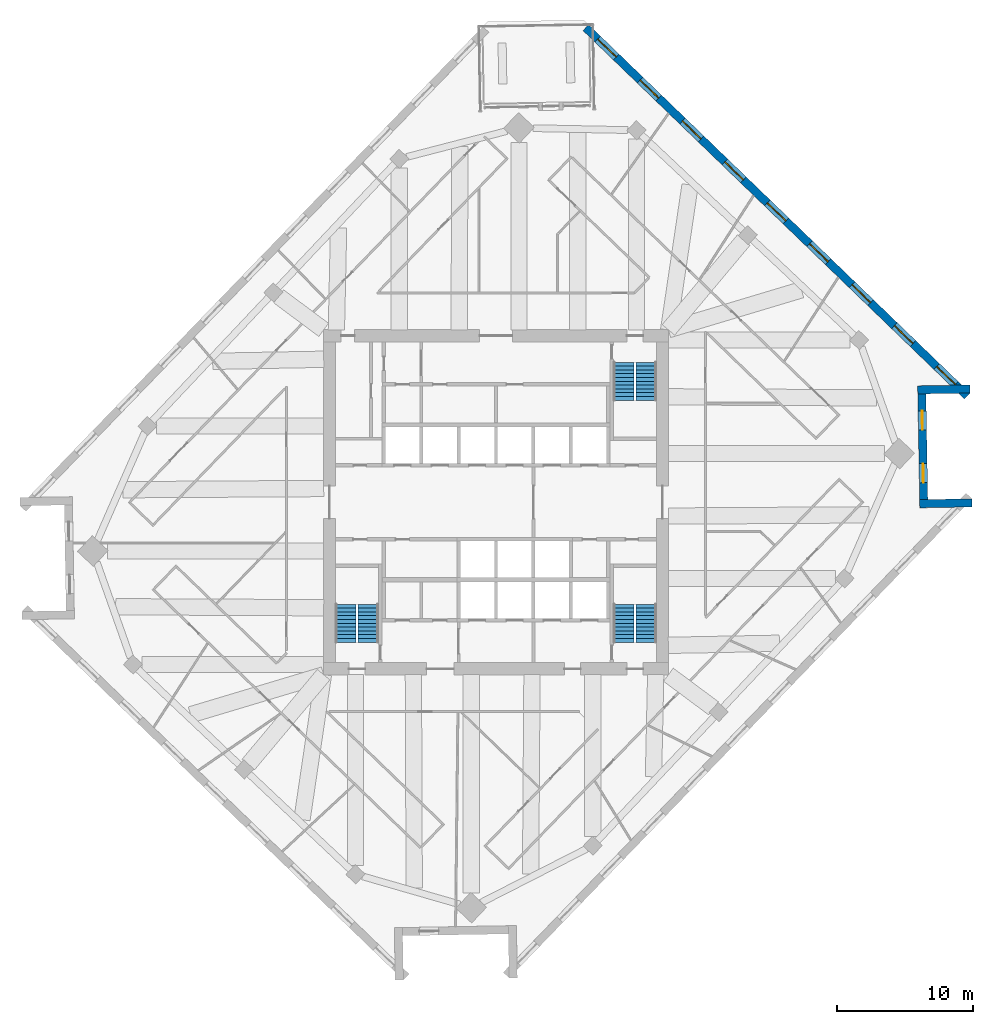
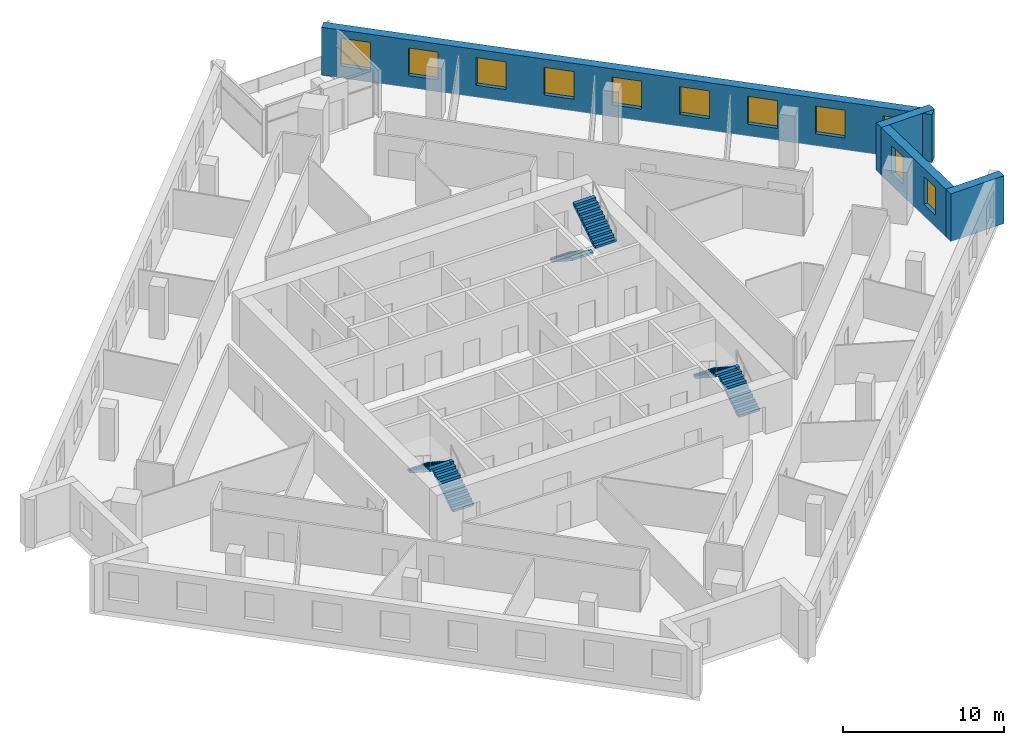
# One storey, part 11 of 13: 11 windows, 6 stair flights, 4 walls, 11 openings, 3 elements without a shape of their own.
"""IFC4 building model written with IfcOpenShell, lengths in metres."""

from ifc_helpers import new_model, si_unit, direction, frame, frame_2d, origin, place, context, subcontext, project, spatial, polyline, rectangle, outline, extrude, material, layer, layer_set, type_object, element, fill, aggregate, save


model = new_model("IFC4")

# Units and contexts
model_context = context("Model", 3, precision=1e-05, world=origin(), true_north=direction((0.0, 1.0)))
body_context = subcontext(model_context, "Body", "Model", "MODEL_VIEW")
ifc_project = project(units=[si_unit("LENGTHUNIT", "METRE"), si_unit("AREAUNIT", "SQUARE_METRE"), si_unit("VOLUMEUNIT", "CUBIC_METRE"), si_unit("PLANEANGLEUNIT", "RADIAN"), si_unit("MASSUNIT", "GRAM", prefix="KILO")], contexts=[model_context])

# Site, building, storey
site_placement = place(None, origin())
site = spatial("IfcSite", under=ifc_project, at=site_placement, CompositionType="ELEMENT")
building_placement = place(site_placement, origin())
building = spatial("IfcBuilding", under=site, at=building_placement, Name="Dilmun Exchange Tower", CompositionType="ELEMENT")
storey_placement = place(building_placement, frame((0.0, 0.0, 213.300048828125)))
storey = spatial("IfcBuildingStorey", under=building, at=storey_placement, Name="L50", CompositionType="ELEMENT", Elevation=213.300048828125)

# Wall
ifc_material_1 = material(Name="Precast concrete C50/60", Category="concrete")
ifc_layer = layer(ifc_material_1, 0.60009765625)
ifc_layer_set = layer_set([ifc_layer], Name="Precast concrete C50/60")
wall_type = type_object("IfcWallType", Name="Precast stone-clad wall 600", PredefinedType="STANDARD", material=ifc_layer_set)
wall_1_placement = place(storey_placement, frame((35.0078125, -0.04248046875, 0.0), z_axis=(0.0, 0.0, 1.0), x_axis=(-0.999847642189, -0.017455440681, 0.0)))
element("IfcWall", 1, at=wall_1_placement, inside=storey, type_object=wall_type, Name="Facade wall L50-12", PredefinedType="STANDARD", context=body_context, shape_type="SweptSolid", body=[
    extrude(rectangle(XDim=3.84619140625, YDim=0.60009765625, at=frame_2d((1.923095703125, 0.0))), origin(), (0.0, 0.0, 1.0), 3.619873046875),
])

# Wall, openings, windows
wall_2_placement = place(storey_placement, frame((31.456787109375, 0.195556640625, 0.0), z_axis=(0.0, 0.0, 1.0), x_axis=(-0.017451978485, 0.999847702626, 0.0)))
wall_2 = element("IfcWall", 2, at=wall_2_placement, inside=storey, type_object=wall_type, Name="Facade wall L50-13", PredefinedType="STANDARD", context=body_context, shape_type="SweptSolid", body=[
    extrude(rectangle(XDim=7.778076171875, YDim=0.60009765625, at=frame_2d((3.88916015625, 0.0))), origin(), (0.0, 0.0, 1.0), 3.619873046875),
])
opening_1_placement = place(wall_2_placement, frame((1.244384765625, 0.0, 0.89990234375)))
opening_1 = element("IfcOpeningElement", 3, at=opening_1_placement, cuts=wall_2, Name="Opening W140-210", PredefinedType="OPENING", context=body_context, shape_type="SweptSolid", body=[
    extrude(rectangle(XDim=1.39990234375, YDim=2.10009765625, at=frame_2d((0.699951171875, 1.050048828125))), frame((0.0, 0.31005859375, 0.0), z_axis=(0.0, -1.0, 0.0), x_axis=(1.0, 0.0, 0.0)), (0.0, 0.0, 1.0), 0.6201171875),
])
opening_2_placement = place(wall_2_placement, frame((5.133544921875, 0.0, 0.89990234375)))
opening_2 = element("IfcOpeningElement", 4, at=opening_2_placement, cuts=wall_2, Name="Opening W140-210", PredefinedType="OPENING", context=body_context, shape_type="SweptSolid", body=[
    extrude(rectangle(XDim=1.39990234375, YDim=2.10009765625, at=frame_2d((0.699951171875, 1.050048828125))), frame((0.0, 0.31005859375, 0.0), z_axis=(0.0, -1.0, 0.0), x_axis=(1.0, 0.0, 0.0)), (0.0, 0.0, 1.0), 0.6201171875),
])
ifc_material_2 = material(Name="Clear low-emissivity glass in aluminium frame", Category="aluminium")
window_type_1 = type_object("IfcWindowType", Name="Punched window 1400 x 2100", PartitioningType="DOUBLE_PANEL_VERTICAL", PredefinedType="WINDOW", material=ifc_material_2)
window_1_placement = place(opening_1_placement, origin())
window_1 = element("IfcWindow", 5, at=window_1_placement, inside=storey, type_object=window_type_1, Name="Window 14.1", OverallHeight=2.10009765625, OverallWidth=1.39990234375, PartitioningType="SINGLE_PANEL", PredefinedType="WINDOW", context=body_context, shape_type="SweptSolid", body=[
    extrude(rectangle(XDim=1.39990234375, YDim=2.10009765625, at=frame_2d((0.699951171875, 1.050048828125))), frame((0.0, 0.030029296875, 0.0), z_axis=(0.0, -1.0, 0.0), x_axis=(1.0, 0.0, 0.0)), (0.0, 0.0, 1.0), 0.06005859375),
])
fill(opening_1, window_1)
window_2_placement = place(opening_2_placement, origin())
window_2 = element("IfcWindow", 6, at=window_2_placement, inside=storey, type_object=window_type_1, Name="Window 14.2", OverallHeight=2.10009765625, OverallWidth=1.39990234375, PartitioningType="SINGLE_PANEL", PredefinedType="WINDOW", context=body_context, shape_type="SweptSolid", body=[
    extrude(rectangle(XDim=1.39990234375, YDim=2.10009765625, at=frame_2d((0.699951171875, 1.050048828125))), frame((0.0, 0.030029296875, 0.0), z_axis=(0.0, -1.0, 0.0), x_axis=(1.0, 0.0, 0.0)), (0.0, 0.0, 1.0), 0.06005859375),
])
fill(opening_2, window_2)

# Wall
wall_3_placement = place(storey_placement, frame((31.015869140625, 8.26708984375, 0.0), z_axis=(0.0, 0.0, 1.0), x_axis=(0.999847642189, 0.017455440681, 0.0)))
element("IfcWall", 7, at=wall_3_placement, inside=storey, type_object=wall_type, Name="Facade wall L50-14", PredefinedType="STANDARD", context=body_context, shape_type="SweptSolid", body=[
    extrude(rectangle(XDim=3.84619140625, YDim=0.60009765625, at=frame_2d((1.923095703125, 0.0))), origin(), (0.0, 0.0, 1.0), 3.619873046875),
])

# Wall, openings, windows
wall_4_placement = place(storey_placement, frame((34.658447265625, 7.818603515625, 0.0), z_axis=(0.0, 0.0, 1.0), x_axis=(-0.719340729741, 0.694657408034, 0.0)))
wall_4 = element("IfcWall", 8, at=wall_4_placement, inside=storey, type_object=wall_type, Name="Facade wall L50-15", PredefinedType="STANDARD", context=body_context, shape_type="SweptSolid", body=[
    extrude(rectangle(XDim=38.999755859375, YDim=0.60009765625, at=frame_2d((19.5, 0.0))), origin(), (0.0, 0.0, 1.0), 3.619873046875),
])
opening_3_placement = place(wall_4_placement, frame((1.216796875, 0.0, 0.89990234375)))
opening_3 = element("IfcOpeningElement", 9, at=opening_3_placement, cuts=wall_4, Name="Opening W190-210", PredefinedType="OPENING", context=body_context, shape_type="SweptSolid", body=[
    extrude(rectangle(XDim=1.89990234375, YDim=2.10009765625, at=frame_2d((0.949951171875, 1.050048828125))), frame((0.0, 0.31005859375, 0.0), z_axis=(0.0, -1.0, 0.0), x_axis=(1.0, 0.0, 0.0)), (0.0, 0.0, 1.0), 0.6201171875),
])
opening_4_placement = place(wall_4_placement, frame((5.550048828125, 0.0, 0.89990234375)))
opening_4 = element("IfcOpeningElement", 10, at=opening_4_placement, cuts=wall_4, Name="Opening W190-210", PredefinedType="OPENING", context=body_context, shape_type="SweptSolid", body=[
    extrude(rectangle(XDim=1.89990234375, YDim=2.10009765625, at=frame_2d((0.949951171875, 1.050048828125))), frame((0.0, 0.31005859375, 0.0), z_axis=(0.0, -1.0, 0.0), x_axis=(1.0, 0.0, 0.0)), (0.0, 0.0, 1.0), 0.6201171875),
])
opening_5_placement = place(wall_4_placement, frame((9.88330078125, 0.0, 0.89990234375)))
opening_5 = element("IfcOpeningElement", 11, at=opening_5_placement, cuts=wall_4, Name="Opening W190-210", PredefinedType="OPENING", context=body_context, shape_type="SweptSolid", body=[
    extrude(rectangle(XDim=1.89990234375, YDim=2.10009765625, at=frame_2d((0.949951171875, 1.050048828125))), frame((0.0, 0.31005859375, 0.0), z_axis=(0.0, -1.0, 0.0), x_axis=(1.0, 0.0, 0.0)), (0.0, 0.0, 1.0), 0.6201171875),
])
opening_6_placement = place(wall_4_placement, frame((14.216796875, 0.0, 0.89990234375)))
opening_6 = element("IfcOpeningElement", 12, at=opening_6_placement, cuts=wall_4, Name="Opening W190-210", PredefinedType="OPENING", context=body_context, shape_type="SweptSolid", body=[
    extrude(rectangle(XDim=1.89990234375, YDim=2.10009765625, at=frame_2d((0.949951171875, 1.050048828125))), frame((0.0, 0.31005859375, 0.0), z_axis=(0.0, -1.0, 0.0), x_axis=(1.0, 0.0, 0.0)), (0.0, 0.0, 1.0), 0.6201171875),
])
opening_7_placement = place(wall_4_placement, frame((18.550048828125, 0.0, 0.89990234375)))
opening_7 = element("IfcOpeningElement", 13, at=opening_7_placement, cuts=wall_4, Name="Opening W190-210", PredefinedType="OPENING", context=body_context, shape_type="SweptSolid", body=[
    extrude(rectangle(XDim=1.89990234375, YDim=2.10009765625, at=frame_2d((0.949951171875, 1.050048828125))), frame((0.0, 0.31005859375, 0.0), z_axis=(0.0, -1.0, 0.0), x_axis=(1.0, 0.0, 0.0)), (0.0, 0.0, 1.0), 0.6201171875),
])
opening_8_placement = place(wall_4_placement, frame((22.88330078125, 0.0, 0.89990234375)))
opening_8 = element("IfcOpeningElement", 14, at=opening_8_placement, cuts=wall_4, Name="Opening W190-210", PredefinedType="OPENING", context=body_context, shape_type="SweptSolid", body=[
    extrude(rectangle(XDim=1.89990234375, YDim=2.10009765625, at=frame_2d((0.949951171875, 1.050048828125))), frame((0.0, 0.31005859375, 0.0), z_axis=(0.0, -1.0, 0.0), x_axis=(1.0, 0.0, 0.0)), (0.0, 0.0, 1.0), 0.6201171875),
])
opening_9_placement = place(wall_4_placement, frame((27.216796875, 0.0, 0.89990234375)))
opening_9 = element("IfcOpeningElement", 15, at=opening_9_placement, cuts=wall_4, Name="Opening W190-210", PredefinedType="OPENING", context=body_context, shape_type="SweptSolid", body=[
    extrude(rectangle(XDim=1.89990234375, YDim=2.10009765625, at=frame_2d((0.949951171875, 1.050048828125))), frame((0.0, 0.31005859375, 0.0), z_axis=(0.0, -1.0, 0.0), x_axis=(1.0, 0.0, 0.0)), (0.0, 0.0, 1.0), 0.6201171875),
])
opening_10_placement = place(wall_4_placement, frame((31.550048828125, 0.0, 0.89990234375)))
opening_10 = element("IfcOpeningElement", 16, at=opening_10_placement, cuts=wall_4, Name="Opening W190-210", PredefinedType="OPENING", context=body_context, shape_type="SweptSolid", body=[
    extrude(rectangle(XDim=1.89990234375, YDim=2.10009765625, at=frame_2d((0.949951171875, 1.050048828125))), frame((0.0, 0.31005859375, 0.0), z_axis=(0.0, -1.0, 0.0), x_axis=(1.0, 0.0, 0.0)), (0.0, 0.0, 1.0), 0.6201171875),
])
opening_11_placement = place(wall_4_placement, frame((35.88330078125, 0.0, 0.89990234375)))
opening_11 = element("IfcOpeningElement", 17, at=opening_11_placement, cuts=wall_4, Name="Opening W190-210", PredefinedType="OPENING", context=body_context, shape_type="SweptSolid", body=[
    extrude(rectangle(XDim=1.89990234375, YDim=2.10009765625, at=frame_2d((0.949951171875, 1.050048828125))), frame((0.0, 0.31005859375, 0.0), z_axis=(0.0, -1.0, 0.0), x_axis=(1.0, 0.0, 0.0)), (0.0, 0.0, 1.0), 0.6201171875),
])
window_type_2 = type_object("IfcWindowType", Name="Punched window 1900 x 2100", PartitioningType="DOUBLE_PANEL_VERTICAL", PredefinedType="WINDOW", material=ifc_material_2)
window_3_placement = place(opening_3_placement, origin())
window_3 = element("IfcWindow", 18, at=window_3_placement, inside=storey, type_object=window_type_2, Name="Window 16.1", OverallHeight=2.10009765625, OverallWidth=1.89990234375, PartitioningType="SINGLE_PANEL", PredefinedType="WINDOW", context=body_context, shape_type="SweptSolid", body=[
    extrude(rectangle(XDim=1.89990234375, YDim=2.10009765625, at=frame_2d((0.949951171875, 1.050048828125))), frame((0.0, 0.030029296875, 0.0), z_axis=(0.0, -1.0, 0.0), x_axis=(1.0, 0.0, 0.0)), (0.0, 0.0, 1.0), 0.06005859375),
])
fill(opening_3, window_3)
window_4_placement = place(opening_4_placement, origin())
window_4 = element("IfcWindow", 19, at=window_4_placement, inside=storey, type_object=window_type_2, Name="Window 16.2", OverallHeight=2.10009765625, OverallWidth=1.89990234375, PartitioningType="SINGLE_PANEL", PredefinedType="WINDOW", context=body_context, shape_type="SweptSolid", body=[
    extrude(rectangle(XDim=1.89990234375, YDim=2.10009765625, at=frame_2d((0.949951171875, 1.050048828125))), frame((0.0, 0.030029296875, 0.0), z_axis=(0.0, -1.0, 0.0), x_axis=(1.0, 0.0, 0.0)), (0.0, 0.0, 1.0), 0.06005859375),
])
fill(opening_4, window_4)
window_5_placement = place(opening_5_placement, origin())
window_5 = element("IfcWindow", 20, at=window_5_placement, inside=storey, type_object=window_type_2, Name="Window 16.3", OverallHeight=2.10009765625, OverallWidth=1.89990234375, PartitioningType="SINGLE_PANEL", PredefinedType="WINDOW", context=body_context, shape_type="SweptSolid", body=[
    extrude(rectangle(XDim=1.89990234375, YDim=2.10009765625, at=frame_2d((0.949951171875, 1.050048828125))), frame((0.0, 0.030029296875, 0.0), z_axis=(0.0, -1.0, 0.0), x_axis=(1.0, 0.0, 0.0)), (0.0, 0.0, 1.0), 0.06005859375),
])
fill(opening_5, window_5)
window_6_placement = place(opening_6_placement, origin())
window_6 = element("IfcWindow", 21, at=window_6_placement, inside=storey, type_object=window_type_2, Name="Window 16.4", OverallHeight=2.10009765625, OverallWidth=1.89990234375, PartitioningType="SINGLE_PANEL", PredefinedType="WINDOW", context=body_context, shape_type="SweptSolid", body=[
    extrude(rectangle(XDim=1.89990234375, YDim=2.10009765625, at=frame_2d((0.949951171875, 1.050048828125))), frame((0.0, 0.030029296875, 0.0), z_axis=(0.0, -1.0, 0.0), x_axis=(1.0, 0.0, 0.0)), (0.0, 0.0, 1.0), 0.06005859375),
])
fill(opening_6, window_6)
window_7_placement = place(opening_7_placement, origin())
window_7 = element("IfcWindow", 22, at=window_7_placement, inside=storey, type_object=window_type_2, Name="Window 16.5", OverallHeight=2.10009765625, OverallWidth=1.89990234375, PartitioningType="SINGLE_PANEL", PredefinedType="WINDOW", context=body_context, shape_type="SweptSolid", body=[
    extrude(rectangle(XDim=1.89990234375, YDim=2.10009765625, at=frame_2d((0.949951171875, 1.050048828125))), frame((0.0, 0.030029296875, 0.0), z_axis=(0.0, -1.0, 0.0), x_axis=(1.0, 0.0, 0.0)), (0.0, 0.0, 1.0), 0.06005859375),
])
fill(opening_7, window_7)
window_8_placement = place(opening_8_placement, origin())
window_8 = element("IfcWindow", 23, at=window_8_placement, inside=storey, type_object=window_type_2, Name="Window 16.6", OverallHeight=2.10009765625, OverallWidth=1.89990234375, PartitioningType="SINGLE_PANEL", PredefinedType="WINDOW", context=body_context, shape_type="SweptSolid", body=[
    extrude(rectangle(XDim=1.89990234375, YDim=2.10009765625, at=frame_2d((0.949951171875, 1.050048828125))), frame((0.0, 0.030029296875, 0.0), z_axis=(0.0, -1.0, 0.0), x_axis=(1.0, 0.0, 0.0)), (0.0, 0.0, 1.0), 0.06005859375),
])
fill(opening_8, window_8)
window_9_placement = place(opening_9_placement, origin())
window_9 = element("IfcWindow", 24, at=window_9_placement, inside=storey, type_object=window_type_2, Name="Window 16.7", OverallHeight=2.10009765625, OverallWidth=1.89990234375, PartitioningType="SINGLE_PANEL", PredefinedType="WINDOW", context=body_context, shape_type="SweptSolid", body=[
    extrude(rectangle(XDim=1.89990234375, YDim=2.10009765625, at=frame_2d((0.949951171875, 1.050048828125))), frame((0.0, 0.030029296875, 0.0), z_axis=(0.0, -1.0, 0.0), x_axis=(1.0, 0.0, 0.0)), (0.0, 0.0, 1.0), 0.06005859375),
])
fill(opening_9, window_9)
window_10_placement = place(opening_10_placement, origin())
window_10 = element("IfcWindow", 25, at=window_10_placement, inside=storey, type_object=window_type_2, Name="Window 16.8", OverallHeight=2.10009765625, OverallWidth=1.89990234375, PartitioningType="SINGLE_PANEL", PredefinedType="WINDOW", context=body_context, shape_type="SweptSolid", body=[
    extrude(rectangle(XDim=1.89990234375, YDim=2.10009765625, at=frame_2d((0.949951171875, 1.050048828125))), frame((0.0, 0.030029296875, 0.0), z_axis=(0.0, -1.0, 0.0), x_axis=(1.0, 0.0, 0.0)), (0.0, 0.0, 1.0), 0.06005859375),
])
fill(opening_10, window_10)
window_11_placement = place(opening_11_placement, origin())
window_11 = element("IfcWindow", 26, at=window_11_placement, inside=storey, type_object=window_type_2, Name="Window 16.9", OverallHeight=2.10009765625, OverallWidth=1.89990234375, PartitioningType="SINGLE_PANEL", PredefinedType="WINDOW", context=body_context, shape_type="SweptSolid", body=[
    extrude(rectangle(XDim=1.89990234375, YDim=2.10009765625, at=frame_2d((0.949951171875, 1.050048828125))), frame((0.0, 0.030029296875, 0.0), z_axis=(0.0, -1.0, 0.0), x_axis=(1.0, 0.0, 0.0)), (0.0, 0.0, 1.0), 0.06005859375),
])
fill(opening_11, window_11)

# Stair, stair flights
ifc_material_3 = material(Name="Concrete C40/50", Category="concrete")
stair_type = type_object("IfcStairType", Name="Exit stair 1500 half-turn", PredefinedType="HALF_TURN_STAIR", material=ifc_material_3)
stair_1_placement = place(storey_placement, origin())
stair_1 = element("IfcStair", 27, at=stair_1_placement, inside=storey, type_object=stair_type, Name="L50 Protected exit stair ST1", PredefinedType="HALF_TURN_STAIR")
stair_flight_type = type_object("IfcStairFlightType", Name="Exit stair flight 1500", PredefinedType="STRAIGHT", material=ifc_material_3)
stair_flight_1_placement = place(storey_placement, frame((9.39990234375, 10.300048828125, 0.0), z_axis=(0.0, 0.0, 1.0), x_axis=(0.0, -1.0, 0.0)))
stair_flight_1 = element("IfcStairFlight", 28, at=stair_flight_1_placement, type_object=stair_flight_type, Name="ST1 flight 1", NumberOfRisers=11, NumberOfTreads=10, PredefinedType="STRAIGHT", RiserHeight=0.181818182, TreadLength=0.28, context=body_context, shape_type="SweptSolid", body=[
    extrude(outline(polyline([(0.0, 0.0), (0.0, 0.181884765625), (0.280029296875, 0.181884765625), (0.280029296875, 0.363525390625), (0.56005859375, 0.363525390625), (0.56005859375, 0.54541015625), (0.840087890625, 0.54541015625), (0.840087890625, 0.727294921875), (1.1201171875, 0.727294921875), (1.1201171875, 0.9091796875), (1.39990234375, 0.9091796875), (1.39990234375, 1.0908203125), (1.679931640625, 1.0908203125), (1.679931640625, 1.272705078125), (1.9599609375, 1.272705078125), (1.9599609375, 1.45458984375), (2.239990234375, 1.45458984375), (2.239990234375, 1.636474609375), (2.52001953125, 1.636474609375), (2.52001953125, 1.818115234375), (2.800048828125, 1.818115234375), (2.800048828125, 2.0), (2.800048828125, 1.639404296875), (0.275146484375, 0.0), (0.0, 0.0)])), frame((0.0, 0.75, 0.0), z_axis=(0.0, -1.0, 0.0), x_axis=(1.0, 0.0, 0.0)), (0.0, 0.0, 1.0), 1.5),
])
stair_flight_2_placement = place(storey_placement, frame((11.050048828125, 7.5, 2.0), z_axis=(0.0, 0.0, 1.0), x_axis=(0.0, 1.0, 0.0)))
stair_flight_2 = element("IfcStairFlight", 29, at=stair_flight_2_placement, type_object=stair_flight_type, Name="ST1 flight 2", NumberOfRisers=11, NumberOfTreads=10, PredefinedType="STRAIGHT", RiserHeight=0.181818182, TreadLength=0.28, context=body_context, shape_type="SweptSolid", body=[
    extrude(outline(polyline([(0.0, 0.0), (0.0, 0.181884765625), (0.280029296875, 0.181884765625), (0.280029296875, 0.363525390625), (0.56005859375, 0.363525390625), (0.56005859375, 0.54541015625), (0.840087890625, 0.54541015625), (0.840087890625, 0.727294921875), (1.1201171875, 0.727294921875), (1.1201171875, 0.9091796875), (1.39990234375, 0.9091796875), (1.39990234375, 1.0908203125), (1.679931640625, 1.0908203125), (1.679931640625, 1.272705078125), (1.9599609375, 1.272705078125), (1.9599609375, 1.45458984375), (2.239990234375, 1.45458984375), (2.239990234375, 1.636474609375), (2.52001953125, 1.636474609375), (2.52001953125, 1.818115234375), (2.800048828125, 1.818115234375), (2.800048828125, 2.0), (2.800048828125, 1.639404296875), (0.275146484375, 0.0), (0.0, 0.0)])), frame((0.0, 0.75, 0.0), z_axis=(0.0, -1.0, 0.0), x_axis=(1.0, 0.0, 0.0)), (0.0, 0.0, 1.0), 1.5),
])
aggregate(stair_1, [stair_flight_1, stair_flight_2])

stair_2_placement = place(storey_placement, origin())
stair_2 = element("IfcStair", 30, at=stair_2_placement, inside=storey, type_object=stair_type, Name="L50 Protected exit stair ST2", PredefinedType="HALF_TURN_STAIR")
stair_flight_3_placement = place(storey_placement, frame((-9.39990234375, -10.300048828125, 0.0), z_axis=(0.0, 0.0, 1.0), x_axis=(0.0, 1.0, 0.0)))
stair_flight_3 = element("IfcStairFlight", 31, at=stair_flight_3_placement, type_object=stair_flight_type, Name="ST2 flight 1", NumberOfRisers=11, NumberOfTreads=10, PredefinedType="STRAIGHT", RiserHeight=0.181818182, TreadLength=0.28, context=body_context, shape_type="SweptSolid", body=[
    extrude(outline(polyline([(0.0, 0.0), (0.0, 0.181884765625), (0.280029296875, 0.181884765625), (0.280029296875, 0.363525390625), (0.56005859375, 0.363525390625), (0.56005859375, 0.54541015625), (0.840087890625, 0.54541015625), (0.840087890625, 0.727294921875), (1.1201171875, 0.727294921875), (1.1201171875, 0.9091796875), (1.39990234375, 0.9091796875), (1.39990234375, 1.0908203125), (1.679931640625, 1.0908203125), (1.679931640625, 1.272705078125), (1.9599609375, 1.272705078125), (1.9599609375, 1.45458984375), (2.239990234375, 1.45458984375), (2.239990234375, 1.636474609375), (2.52001953125, 1.636474609375), (2.52001953125, 1.818115234375), (2.800048828125, 1.818115234375), (2.800048828125, 2.0), (2.800048828125, 1.639404296875), (0.275146484375, 0.0), (0.0, 0.0)])), frame((0.0, 0.75, 0.0), z_axis=(0.0, -1.0, 0.0), x_axis=(1.0, 0.0, 0.0)), (0.0, 0.0, 1.0), 1.5),
])
stair_flight_4_placement = place(storey_placement, frame((-11.050048828125, -7.5, 2.0), z_axis=(0.0, 0.0, 1.0), x_axis=(0.0, -1.0, 0.0)))
stair_flight_4 = element("IfcStairFlight", 32, at=stair_flight_4_placement, type_object=stair_flight_type, Name="ST2 flight 2", NumberOfRisers=11, NumberOfTreads=10, PredefinedType="STRAIGHT", RiserHeight=0.181818182, TreadLength=0.28, context=body_context, shape_type="SweptSolid", body=[
    extrude(outline(polyline([(0.0, 0.0), (0.0, 0.181884765625), (0.280029296875, 0.181884765625), (0.280029296875, 0.363525390625), (0.56005859375, 0.363525390625), (0.56005859375, 0.54541015625), (0.840087890625, 0.54541015625), (0.840087890625, 0.727294921875), (1.1201171875, 0.727294921875), (1.1201171875, 0.9091796875), (1.39990234375, 0.9091796875), (1.39990234375, 1.0908203125), (1.679931640625, 1.0908203125), (1.679931640625, 1.272705078125), (1.9599609375, 1.272705078125), (1.9599609375, 1.45458984375), (2.239990234375, 1.45458984375), (2.239990234375, 1.636474609375), (2.52001953125, 1.636474609375), (2.52001953125, 1.818115234375), (2.800048828125, 1.818115234375), (2.800048828125, 2.0), (2.800048828125, 1.639404296875), (0.275146484375, 0.0), (0.0, 0.0)])), frame((0.0, 0.75, 0.0), z_axis=(0.0, -1.0, 0.0), x_axis=(1.0, 0.0, 0.0)), (0.0, 0.0, 1.0), 1.5),
])
aggregate(stair_2, [stair_flight_3, stair_flight_4])

stair_3_placement = place(storey_placement, origin())
stair_3 = element("IfcStair", 33, at=stair_3_placement, inside=storey, type_object=stair_type, Name="L50 Protected exit stair ST3", PredefinedType="HALF_TURN_STAIR")
stair_flight_5_placement = place(storey_placement, frame((11.050048828125, -10.300048828125, 0.0), z_axis=(0.0, 0.0, 1.0), x_axis=(0.0, 1.0, 0.0)))
stair_flight_5 = element("IfcStairFlight", 34, at=stair_flight_5_placement, type_object=stair_flight_type, Name="ST3 flight 1", NumberOfRisers=11, NumberOfTreads=10, PredefinedType="STRAIGHT", RiserHeight=0.181818182, TreadLength=0.28, context=body_context, shape_type="SweptSolid", body=[
    extrude(outline(polyline([(0.0, 0.0), (0.0, 0.181884765625), (0.280029296875, 0.181884765625), (0.280029296875, 0.363525390625), (0.56005859375, 0.363525390625), (0.56005859375, 0.54541015625), (0.840087890625, 0.54541015625), (0.840087890625, 0.727294921875), (1.1201171875, 0.727294921875), (1.1201171875, 0.9091796875), (1.39990234375, 0.9091796875), (1.39990234375, 1.0908203125), (1.679931640625, 1.0908203125), (1.679931640625, 1.272705078125), (1.9599609375, 1.272705078125), (1.9599609375, 1.45458984375), (2.239990234375, 1.45458984375), (2.239990234375, 1.636474609375), (2.52001953125, 1.636474609375), (2.52001953125, 1.818115234375), (2.800048828125, 1.818115234375), (2.800048828125, 2.0), (2.800048828125, 1.639404296875), (0.275146484375, 0.0), (0.0, 0.0)])), frame((0.0, 0.75, 0.0), z_axis=(0.0, -1.0, 0.0), x_axis=(1.0, 0.0, 0.0)), (0.0, 0.0, 1.0), 1.5),
])
stair_flight_6_placement = place(storey_placement, frame((9.39990234375, -7.5, 2.0), z_axis=(0.0, 0.0, 1.0), x_axis=(0.0, -1.0, 0.0)))
stair_flight_6 = element("IfcStairFlight", 35, at=stair_flight_6_placement, type_object=stair_flight_type, Name="ST3 flight 2", NumberOfRisers=11, NumberOfTreads=10, PredefinedType="STRAIGHT", RiserHeight=0.181818182, TreadLength=0.28, context=body_context, shape_type="SweptSolid", body=[
    extrude(outline(polyline([(0.0, 0.0), (0.0, 0.181884765625), (0.280029296875, 0.181884765625), (0.280029296875, 0.363525390625), (0.56005859375, 0.363525390625), (0.56005859375, 0.54541015625), (0.840087890625, 0.54541015625), (0.840087890625, 0.727294921875), (1.1201171875, 0.727294921875), (1.1201171875, 0.9091796875), (1.39990234375, 0.9091796875), (1.39990234375, 1.0908203125), (1.679931640625, 1.0908203125), (1.679931640625, 1.272705078125), (1.9599609375, 1.272705078125), (1.9599609375, 1.45458984375), (2.239990234375, 1.45458984375), (2.239990234375, 1.636474609375), (2.52001953125, 1.636474609375), (2.52001953125, 1.818115234375), (2.800048828125, 1.818115234375), (2.800048828125, 2.0), (2.800048828125, 1.639404296875), (0.275146484375, 0.0), (0.0, 0.0)])), frame((0.0, 0.75, 0.0), z_axis=(0.0, -1.0, 0.0), x_axis=(1.0, 0.0, 0.0)), (0.0, 0.0, 1.0), 1.5),
])
aggregate(stair_3, [stair_flight_5, stair_flight_6])

save(model, "model.ifc")
